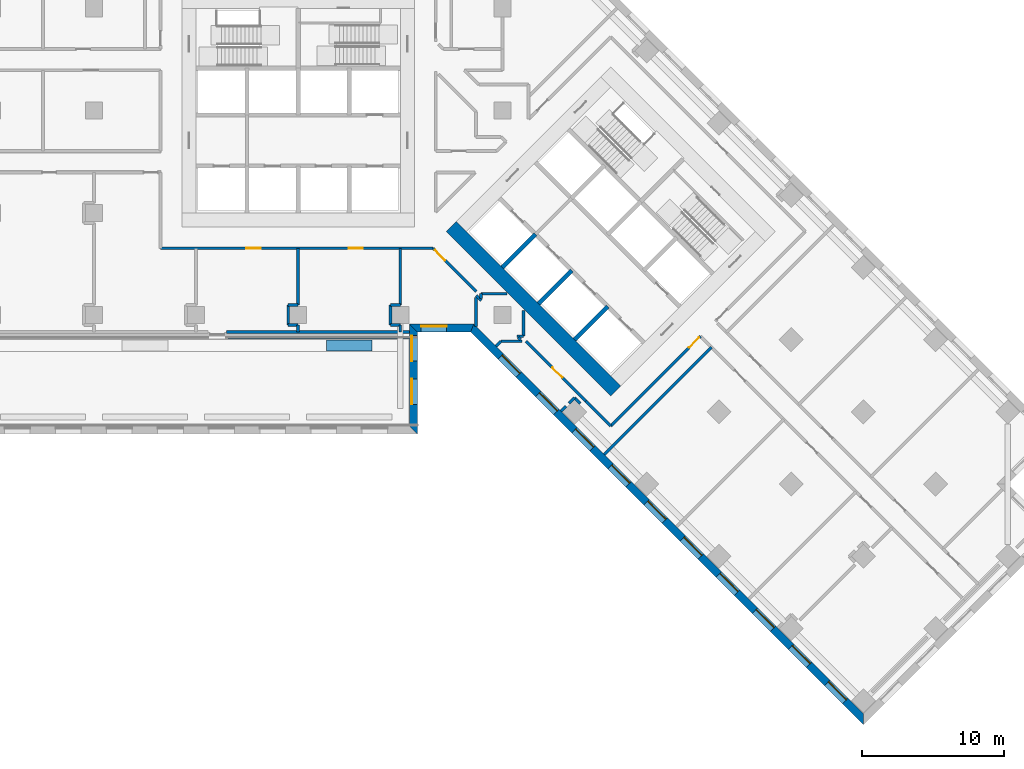
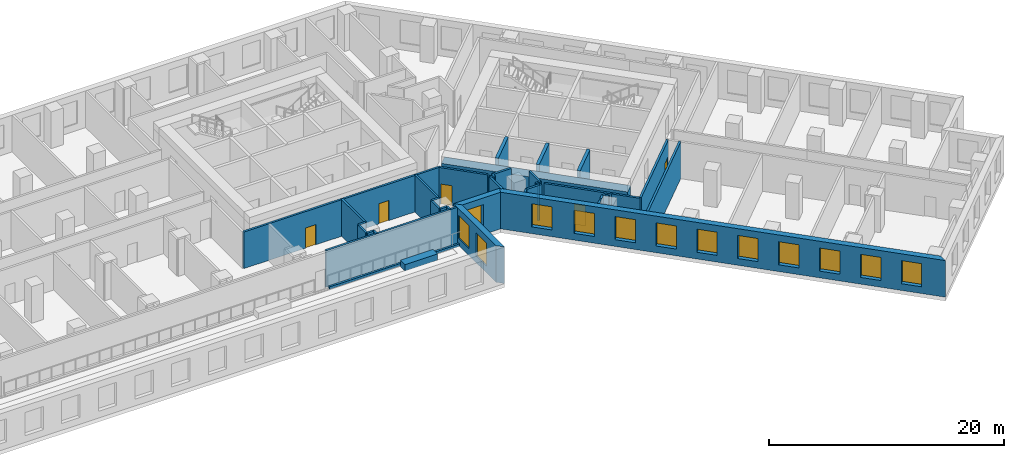
# One storey, part 7 of 14: 38 walls, 13 windows, 5 doors, 18 openings.
"""IFC4 building model written with IfcOpenShell, lengths in metres."""

from ifc_helpers import new_model, si_unit, direction, frame, frame_2d, origin, place, context, subcontext, project, spatial, polyline, rectangle, outline, extrude, material, layer, layer_set, type_object, element, fill, save


model = new_model("IFC4")

# Units and contexts
model_context = context("Model", 3, precision=1e-05, world=origin(), true_north=direction((0.0, 1.0)))
body_context = subcontext(model_context, "Body", "Model", "MODEL_VIEW")
ifc_project = project(units=[si_unit("LENGTHUNIT", "METRE"), si_unit("AREAUNIT", "SQUARE_METRE"), si_unit("VOLUMEUNIT", "CUBIC_METRE"), si_unit("PLANEANGLEUNIT", "RADIAN"), si_unit("MASSUNIT", "GRAM", prefix="KILO")], contexts=[model_context])

# Site, building, storey
site_placement = place(None, origin())
site = spatial("IfcSite", under=ifc_project, at=site_placement, CompositionType="ELEMENT")
building_placement = place(site_placement, origin())
building = spatial("IfcBuilding", under=site, at=building_placement, Name="Windrow Commons", CompositionType="ELEMENT")
storey_placement = place(building_placement, frame((0.0, 0.0, 18.6)))
storey = spatial("IfcBuildingStorey", under=building, at=storey_placement, Name="L04", CompositionType="ELEMENT", Elevation=18.6)

# Wall, openings, windows
ifc_material_1 = material(Name="Brick masonry, red clay brick", Category="masonry")
ifc_layer_1 = layer(ifc_material_1, 0.55)
ifc_layer_set_1 = layer_set([ifc_layer_1], Name="Brick facade wall 550")
wall_type_1 = type_object("IfcWallType", Name="Brick facade wall 550", PredefinedType="SOLIDWALL", material=ifc_layer_set_1)
wall_1_placement = place(storey_placement, frame((72.925, 35.075, 0.0), z_axis=(0.0, 0.0, 1.0), x_axis=(0.0, 1.0, 0.0)))
wall_1 = element("IfcWall", 1, at=wall_1_placement, inside=storey, type_object=wall_type_1, Name="Brick facade wall L04 14", PredefinedType="SOLIDWALL", context=body_context, shape_type="SweptSolid", body=[
    extrude(outline(polyline([(-0.275, -0.275), (6.925, -0.275), (7.475, 0.275), (0.275, 0.275), (-0.275, -0.275)])), origin(), (0.0, 0.0, 1.0), 3.8),
])
opening_1_placement = place(wall_1_placement, frame((1.825, 0.0, 0.7)))
opening_1 = element("IfcOpeningElement", 2, at=opening_1_placement, cuts=wall_1, Name="Opening W2B", PredefinedType="OPENING", context=body_context, shape_type="SweptSolid", body=[
    extrude(rectangle(XDim=1.8, YDim=2.4, at=frame_2d((0.9, 1.2))), frame((0.0, 0.285, 0.0), z_axis=(0.0, -1.0, 0.0), x_axis=(1.0, 0.0, 0.0)), (0.0, 0.0, 1.0), 0.57),
])
opening_2_placement = place(wall_1_placement, frame((4.8625, 0.0, 0.7)))
opening_2 = element("IfcOpeningElement", 3, at=opening_2_placement, cuts=wall_1, Name="Opening W2B", PredefinedType="OPENING", context=body_context, shape_type="SweptSolid", body=[
    extrude(rectangle(XDim=1.8, YDim=2.4, at=frame_2d((0.9, 1.2))), frame((0.0, 0.285, 0.0), z_axis=(0.0, -1.0, 0.0), x_axis=(1.0, 0.0, 0.0)), (0.0, 0.0, 1.0), 0.57),
])
ifc_material_2 = material(Name="Clear float glass in anodised aluminium frame", Category="aluminium")
window_type = type_object("IfcWindowType", Name="Window W2 podium 1800x2400", PartitioningType="SINGLE_PANEL", PredefinedType="WINDOW", material=ifc_material_2)
window_1_placement = place(opening_1_placement, origin())
window_1 = element("IfcWindow", 4, at=window_1_placement, inside=storey, type_object=window_type, Name="Window L04 14.1", OverallHeight=2.4, OverallWidth=1.8, PartitioningType="SINGLE_PANEL", PredefinedType="WINDOW", context=body_context, shape_type="SweptSolid", body=[
    extrude(rectangle(XDim=1.8, YDim=2.4, at=frame_2d((0.9, 1.2))), frame((0.0, 0.155, 0.0), z_axis=(0.0, -1.0, 0.0), x_axis=(1.0, 0.0, 0.0)), (0.0, 0.0, 1.0), 0.06),
])
fill(opening_1, window_1)
window_2_placement = place(opening_2_placement, origin())
window_2 = element("IfcWindow", 5, at=window_2_placement, inside=storey, type_object=window_type, Name="Window L04 14.2", OverallHeight=2.4, OverallWidth=1.8, PartitioningType="SINGLE_PANEL", PredefinedType="WINDOW", context=body_context, shape_type="SweptSolid", body=[
    extrude(rectangle(XDim=1.8, YDim=2.4, at=frame_2d((0.9, 1.2))), frame((0.0, 0.155, 0.0), z_axis=(0.0, -1.0, 0.0), x_axis=(1.0, 0.0, 0.0)), (0.0, 0.0, 1.0), 0.06),
])
fill(opening_2, window_2)

# Wall, opening, window
wall_2_placement = place(storey_placement, frame((72.925, 42.275, 0.0), z_axis=(0.0, 0.0, 1.0), x_axis=(1.0, 0.0, 0.0)))
wall_2 = element("IfcWall", 6, at=wall_2_placement, inside=storey, type_object=wall_type_1, Name="Brick facade wall L04 15", PredefinedType="SOLIDWALL", context=body_context, shape_type="SweptSolid", body=[
    extrude(outline(polyline([(0.275, -0.275), (4.0309, -0.275), (4.2587, 0.275), (-0.275, 0.275), (0.275, -0.275)])), origin(), (0.0, 0.0, 1.0), 3.8),
])
opening_3_placement = place(wall_2_placement, frame((0.5375, 0.0, 0.7)))
opening_3 = element("IfcOpeningElement", 7, at=opening_3_placement, cuts=wall_2, Name="Opening W2B", PredefinedType="OPENING", context=body_context, shape_type="SweptSolid", body=[
    extrude(rectangle(XDim=1.8, YDim=2.4, at=frame_2d((0.9, 1.2))), frame((0.0, 0.285, 0.0), z_axis=(0.0, -1.0, 0.0), x_axis=(1.0, 0.0, 0.0)), (0.0, 0.0, 1.0), 0.57),
])
window_3_placement = place(opening_3_placement, origin())
window_3 = element("IfcWindow", 8, at=window_3_placement, inside=storey, type_object=window_type, Name="Window L04 15.1", OverallHeight=2.4, OverallWidth=1.8, PartitioningType="SINGLE_PANEL", PredefinedType="WINDOW", context=body_context, shape_type="SweptSolid", body=[
    extrude(rectangle(XDim=1.8, YDim=2.4, at=frame_2d((0.9, 1.2))), frame((0.0, 0.155, 0.0), z_axis=(0.0, -1.0, 0.0), x_axis=(1.0, 0.0, 0.0)), (0.0, 0.0, 1.0), 0.06),
])
fill(opening_3, window_3)

# Wall, openings, windows
wall_3_placement = place(storey_placement, frame((77.0698, 42.275, 0.0), z_axis=(0.0, 0.0, 1.0), x_axis=(0.7071067812, -0.7071067812, 0.0)))
wall_3 = element("IfcWall", 9, at=wall_3_placement, inside=storey, type_object=wall_type_1, Name="Brick facade wall L04 16", PredefinedType="SOLIDWALL", context=body_context, shape_type="SweptSolid", body=[
    extrude(outline(polyline([(0.1139, -0.275), (39.2875, -0.275), (38.7375, 0.275), (-0.1139, 0.275), (0.1139, -0.275)])), origin(), (0.0, 0.0, 1.0), 3.8),
])
opening_4_placement = place(wall_3_placement, frame((2.8375, 0.0, 0.7)))
opening_4 = element("IfcOpeningElement", 10, at=opening_4_placement, cuts=wall_3, Name="Opening W2B", PredefinedType="OPENING", context=body_context, shape_type="SweptSolid", body=[
    extrude(rectangle(XDim=1.8, YDim=2.4, at=frame_2d((0.9, 1.2))), frame((0.0, 0.285, 0.0), z_axis=(0.0, -1.0, 0.0), x_axis=(1.0, 0.0, 0.0)), (0.0, 0.0, 1.0), 0.57),
])
opening_5_placement = place(wall_3_placement, frame((6.5875, 0.0, 0.7)))
opening_5 = element("IfcOpeningElement", 11, at=opening_5_placement, cuts=wall_3, Name="Opening W2B", PredefinedType="OPENING", context=body_context, shape_type="SweptSolid", body=[
    extrude(rectangle(XDim=1.8, YDim=2.4, at=frame_2d((0.9, 1.2))), frame((0.0, 0.285, 0.0), z_axis=(0.0, -1.0, 0.0), x_axis=(1.0, 0.0, 0.0)), (0.0, 0.0, 1.0), 0.57),
])
opening_6_placement = place(wall_3_placement, frame((10.1875, 0.0, 0.7)))
opening_6 = element("IfcOpeningElement", 12, at=opening_6_placement, cuts=wall_3, Name="Opening W2B", PredefinedType="OPENING", context=body_context, shape_type="SweptSolid", body=[
    extrude(rectangle(XDim=1.8, YDim=2.4, at=frame_2d((0.9, 1.2))), frame((0.0, 0.285, 0.0), z_axis=(0.0, -1.0, 0.0), x_axis=(1.0, 0.0, 0.0)), (0.0, 0.0, 1.0), 0.57),
])
opening_7_placement = place(wall_3_placement, frame((13.7875, 0.0, 0.7)))
opening_7 = element("IfcOpeningElement", 13, at=opening_7_placement, cuts=wall_3, Name="Opening W2B", PredefinedType="OPENING", context=body_context, shape_type="SweptSolid", body=[
    extrude(rectangle(XDim=1.8, YDim=2.4, at=frame_2d((0.9, 1.2))), frame((0.0, 0.285, 0.0), z_axis=(0.0, -1.0, 0.0), x_axis=(1.0, 0.0, 0.0)), (0.0, 0.0, 1.0), 0.57),
])
opening_8_placement = place(wall_3_placement, frame((17.3875, 0.0, 0.7)))
opening_8 = element("IfcOpeningElement", 14, at=opening_8_placement, cuts=wall_3, Name="Opening W2B", PredefinedType="OPENING", context=body_context, shape_type="SweptSolid", body=[
    extrude(rectangle(XDim=1.8, YDim=2.4, at=frame_2d((0.9, 1.2))), frame((0.0, 0.285, 0.0), z_axis=(0.0, -1.0, 0.0), x_axis=(1.0, 0.0, 0.0)), (0.0, 0.0, 1.0), 0.57),
])
opening_9_placement = place(wall_3_placement, frame((20.9875, 0.0, 0.7)))
opening_9 = element("IfcOpeningElement", 15, at=opening_9_placement, cuts=wall_3, Name="Opening W2B", PredefinedType="OPENING", context=body_context, shape_type="SweptSolid", body=[
    extrude(rectangle(XDim=1.8, YDim=2.4, at=frame_2d((0.9, 1.2))), frame((0.0, 0.285, 0.0), z_axis=(0.0, -1.0, 0.0), x_axis=(1.0, 0.0, 0.0)), (0.0, 0.0, 1.0), 0.57),
])
opening_10_placement = place(wall_3_placement, frame((24.5875, 0.0, 0.7)))
opening_10 = element("IfcOpeningElement", 16, at=opening_10_placement, cuts=wall_3, Name="Opening W2B", PredefinedType="OPENING", context=body_context, shape_type="SweptSolid", body=[
    extrude(rectangle(XDim=1.8, YDim=2.4, at=frame_2d((0.9, 1.2))), frame((0.0, 0.285, 0.0), z_axis=(0.0, -1.0, 0.0), x_axis=(1.0, 0.0, 0.0)), (0.0, 0.0, 1.0), 0.57),
])
opening_11_placement = place(wall_3_placement, frame((28.1875, 0.0, 0.7)))
opening_11 = element("IfcOpeningElement", 17, at=opening_11_placement, cuts=wall_3, Name="Opening W2B", PredefinedType="OPENING", context=body_context, shape_type="SweptSolid", body=[
    extrude(rectangle(XDim=1.8, YDim=2.4, at=frame_2d((0.9, 1.2))), frame((0.0, 0.285, 0.0), z_axis=(0.0, -1.0, 0.0), x_axis=(1.0, 0.0, 0.0)), (0.0, 0.0, 1.0), 0.57),
])
opening_12_placement = place(wall_3_placement, frame((31.7875, 0.0, 0.7)))
opening_12 = element("IfcOpeningElement", 18, at=opening_12_placement, cuts=wall_3, Name="Opening W2B", PredefinedType="OPENING", context=body_context, shape_type="SweptSolid", body=[
    extrude(rectangle(XDim=1.8, YDim=2.4, at=frame_2d((0.9, 1.2))), frame((0.0, 0.285, 0.0), z_axis=(0.0, -1.0, 0.0), x_axis=(1.0, 0.0, 0.0)), (0.0, 0.0, 1.0), 0.57),
])
opening_13_placement = place(wall_3_placement, frame((35.3875, 0.0, 0.7)))
opening_13 = element("IfcOpeningElement", 19, at=opening_13_placement, cuts=wall_3, Name="Opening W2B", PredefinedType="OPENING", context=body_context, shape_type="SweptSolid", body=[
    extrude(rectangle(XDim=1.8, YDim=2.4, at=frame_2d((0.9, 1.2))), frame((0.0, 0.285, 0.0), z_axis=(0.0, -1.0, 0.0), x_axis=(1.0, 0.0, 0.0)), (0.0, 0.0, 1.0), 0.57),
])
window_4_placement = place(opening_4_placement, origin())
window_4 = element("IfcWindow", 20, at=window_4_placement, inside=storey, type_object=window_type, Name="Window L04 16.1", OverallHeight=2.4, OverallWidth=1.8, PartitioningType="SINGLE_PANEL", PredefinedType="WINDOW", context=body_context, shape_type="SweptSolid", body=[
    extrude(rectangle(XDim=1.8, YDim=2.4, at=frame_2d((0.9, 1.2))), frame((0.0, 0.155, 0.0), z_axis=(0.0, -1.0, 0.0), x_axis=(1.0, 0.0, 0.0)), (0.0, 0.0, 1.0), 0.06),
])
fill(opening_4, window_4)
window_5_placement = place(opening_5_placement, origin())
window_5 = element("IfcWindow", 21, at=window_5_placement, inside=storey, type_object=window_type, Name="Window L04 16.2", OverallHeight=2.4, OverallWidth=1.8, PartitioningType="SINGLE_PANEL", PredefinedType="WINDOW", context=body_context, shape_type="SweptSolid", body=[
    extrude(rectangle(XDim=1.8, YDim=2.4, at=frame_2d((0.9, 1.2))), frame((0.0, 0.155, 0.0), z_axis=(0.0, -1.0, 0.0), x_axis=(1.0, 0.0, 0.0)), (0.0, 0.0, 1.0), 0.06),
])
fill(opening_5, window_5)
window_6_placement = place(opening_6_placement, origin())
window_6 = element("IfcWindow", 22, at=window_6_placement, inside=storey, type_object=window_type, Name="Window L04 16.3", OverallHeight=2.4, OverallWidth=1.8, PartitioningType="SINGLE_PANEL", PredefinedType="WINDOW", context=body_context, shape_type="SweptSolid", body=[
    extrude(rectangle(XDim=1.8, YDim=2.4, at=frame_2d((0.9, 1.2))), frame((0.0, 0.155, 0.0), z_axis=(0.0, -1.0, 0.0), x_axis=(1.0, 0.0, 0.0)), (0.0, 0.0, 1.0), 0.06),
])
fill(opening_6, window_6)
window_7_placement = place(opening_7_placement, origin())
window_7 = element("IfcWindow", 23, at=window_7_placement, inside=storey, type_object=window_type, Name="Window L04 16.4", OverallHeight=2.4, OverallWidth=1.8, PartitioningType="SINGLE_PANEL", PredefinedType="WINDOW", context=body_context, shape_type="SweptSolid", body=[
    extrude(rectangle(XDim=1.8, YDim=2.4, at=frame_2d((0.9, 1.2))), frame((0.0, 0.155, 0.0), z_axis=(0.0, -1.0, 0.0), x_axis=(1.0, 0.0, 0.0)), (0.0, 0.0, 1.0), 0.06),
])
fill(opening_7, window_7)
window_8_placement = place(opening_8_placement, origin())
window_8 = element("IfcWindow", 24, at=window_8_placement, inside=storey, type_object=window_type, Name="Window L04 16.5", OverallHeight=2.4, OverallWidth=1.8, PartitioningType="SINGLE_PANEL", PredefinedType="WINDOW", context=body_context, shape_type="SweptSolid", body=[
    extrude(rectangle(XDim=1.8, YDim=2.4, at=frame_2d((0.9, 1.2))), frame((0.0, 0.155, 0.0), z_axis=(0.0, -1.0, 0.0), x_axis=(1.0, 0.0, 0.0)), (0.0, 0.0, 1.0), 0.06),
])
fill(opening_8, window_8)
window_9_placement = place(opening_9_placement, origin())
window_9 = element("IfcWindow", 25, at=window_9_placement, inside=storey, type_object=window_type, Name="Window L04 16.6", OverallHeight=2.4, OverallWidth=1.8, PartitioningType="SINGLE_PANEL", PredefinedType="WINDOW", context=body_context, shape_type="SweptSolid", body=[
    extrude(rectangle(XDim=1.8, YDim=2.4, at=frame_2d((0.9, 1.2))), frame((0.0, 0.155, 0.0), z_axis=(0.0, -1.0, 0.0), x_axis=(1.0, 0.0, 0.0)), (0.0, 0.0, 1.0), 0.06),
])
fill(opening_9, window_9)
window_10_placement = place(opening_10_placement, origin())
window_10 = element("IfcWindow", 26, at=window_10_placement, inside=storey, type_object=window_type, Name="Window L04 16.7", OverallHeight=2.4, OverallWidth=1.8, PartitioningType="SINGLE_PANEL", PredefinedType="WINDOW", context=body_context, shape_type="SweptSolid", body=[
    extrude(rectangle(XDim=1.8, YDim=2.4, at=frame_2d((0.9, 1.2))), frame((0.0, 0.155, 0.0), z_axis=(0.0, -1.0, 0.0), x_axis=(1.0, 0.0, 0.0)), (0.0, 0.0, 1.0), 0.06),
])
fill(opening_10, window_10)
window_11_placement = place(opening_11_placement, origin())
window_11 = element("IfcWindow", 27, at=window_11_placement, inside=storey, type_object=window_type, Name="Window L04 16.8", OverallHeight=2.4, OverallWidth=1.8, PartitioningType="SINGLE_PANEL", PredefinedType="WINDOW", context=body_context, shape_type="SweptSolid", body=[
    extrude(rectangle(XDim=1.8, YDim=2.4, at=frame_2d((0.9, 1.2))), frame((0.0, 0.155, 0.0), z_axis=(0.0, -1.0, 0.0), x_axis=(1.0, 0.0, 0.0)), (0.0, 0.0, 1.0), 0.06),
])
fill(opening_11, window_11)
window_12_placement = place(opening_12_placement, origin())
window_12 = element("IfcWindow", 28, at=window_12_placement, inside=storey, type_object=window_type, Name="Window L04 16.9", OverallHeight=2.4, OverallWidth=1.8, PartitioningType="SINGLE_PANEL", PredefinedType="WINDOW", context=body_context, shape_type="SweptSolid", body=[
    extrude(rectangle(XDim=1.8, YDim=2.4, at=frame_2d((0.9, 1.2))), frame((0.0, 0.155, 0.0), z_axis=(0.0, -1.0, 0.0), x_axis=(1.0, 0.0, 0.0)), (0.0, 0.0, 1.0), 0.06),
])
fill(opening_12, window_12)
window_13_placement = place(opening_13_placement, origin())
window_13 = element("IfcWindow", 29, at=window_13_placement, inside=storey, type_object=window_type, Name="Window L04 16.10", OverallHeight=2.4, OverallWidth=1.8, PartitioningType="SINGLE_PANEL", PredefinedType="WINDOW", context=body_context, shape_type="SweptSolid", body=[
    extrude(rectangle(XDim=1.8, YDim=2.4, at=frame_2d((0.9, 1.2))), frame((0.0, 0.155, 0.0), z_axis=(0.0, -1.0, 0.0), x_axis=(1.0, 0.0, 0.0)), (0.0, 0.0, 1.0), 0.06),
])
fill(opening_13, window_13)

# Wall, openings, doors
ifc_material_3 = material(Name="Blockwork partition", Category="masonry")
ifc_layer_2 = layer(ifc_material_3, 0.2)
ifc_layer_set_2 = layer_set([ifc_layer_2], Name="IW-CORRIDOR-200")
wall_type_2 = type_object("IfcWallType", Name="IW-CORRIDOR-200", PredefinedType="PARTITIONING", material=ifc_layer_set_2)
wall_4_placement = place(storey_placement, frame((55.1, 47.9, 0.0), z_axis=(0.0, 0.0, 1.0), x_axis=(1.0, 0.0, 0.0)))
wall_4 = element("IfcWall", 30, at=wall_4_placement, inside=storey, type_object=wall_type_2, Name="W-L04-W007", PredefinedType="PARTITIONING", context=body_context, shape_type="SweptSolid", body=[
    extrude(rectangle(XDim=19.208, YDim=0.2, at=frame_2d((9.604, 0.0))), origin(), (0.0, 0.0, 1.0), 3.8),
])
opening_14_placement = place(wall_4_placement, frame((6.0575, 0.0, 0.0)))
opening_14 = element("IfcOpeningElement", 31, at=opening_14_placement, cuts=wall_4, Name="Opening D310F", PredefinedType="OPENING", context=body_context, shape_type="SweptSolid", body=[
    extrude(rectangle(XDim=1.0, YDim=2.1, at=frame_2d((0.5, 1.05))), frame((0.0, 0.11, 0.0), z_axis=(0.0, -1.0, 0.0), x_axis=(1.0, 0.0, 0.0)), (0.0, 0.0, 1.0), 0.22),
])
opening_15_placement = place(wall_4_placement, frame((13.2575, 0.0, 0.0)))
opening_15 = element("IfcOpeningElement", 32, at=opening_15_placement, cuts=wall_4, Name="Opening D310F", PredefinedType="OPENING", context=body_context, shape_type="SweptSolid", body=[
    extrude(rectangle(XDim=1.0, YDim=2.1, at=frame_2d((0.5, 1.05))), frame((0.0, 0.11, 0.0), z_axis=(0.0, -1.0, 0.0), x_axis=(1.0, 0.0, 0.0)), (0.0, 0.0, 1.0), 0.22),
])
ifc_material_4 = material(Name="Timber door leaf", Category="wood")
door_type_1 = type_object("IfcDoorType", Name="DT-AMENITY-1000", OperationType="SINGLE_SWING_LEFT", PredefinedType="DOOR", material=ifc_material_4)
door_1_placement = place(opening_14_placement, origin())
door_1 = element("IfcDoor", 33, at=door_1_placement, inside=storey, type_object=door_type_1, Name="D-L04-D009", OperationType="SINGLE_SWING_LEFT", OverallHeight=2.1, OverallWidth=1.0, PredefinedType="DOOR", context=body_context, shape_type="SweptSolid", body=[
    extrude(rectangle(XDim=1.0, YDim=2.1, at=frame_2d((0.5, 1.05))), frame((0.0, 0.025, 0.0), z_axis=(0.0, -1.0, 0.0), x_axis=(1.0, 0.0, 0.0)), (0.0, 0.0, 1.0), 0.05),
])
fill(opening_14, door_1)
door_2_placement = place(opening_15_placement, origin())
door_2 = element("IfcDoor", 34, at=door_2_placement, inside=storey, type_object=door_type_1, Name="D-L04-D010", OperationType="SINGLE_SWING_LEFT", OverallHeight=2.1, OverallWidth=1.0, PredefinedType="DOOR", context=body_context, shape_type="SweptSolid", body=[
    extrude(rectangle(XDim=1.0, YDim=2.1, at=frame_2d((0.5, 1.05))), frame((0.0, 0.025, 0.0), z_axis=(0.0, -1.0, 0.0), x_axis=(1.0, 0.0, 0.0)), (0.0, 0.0, 1.0), 0.05),
])
fill(opening_15, door_2)

# Wall, opening, door
wall_5_placement = place(storey_placement, frame((86.8356, 35.3724, 0.0), z_axis=(0.0, 0.0, 1.0), x_axis=(0.7071067812, 0.7071067812, 0.0)))
wall_5 = element("IfcWall", 35, at=wall_5_placement, inside=storey, type_object=wall_type_2, Name="W-L04-W031", PredefinedType="PARTITIONING", context=body_context, shape_type="SweptSolid", body=[
    extrude(rectangle(XDim=8.9491, YDim=0.2, at=frame_2d((4.4745, 0.0))), origin(), (0.0, 0.0, 1.0), 3.8),
])
opening_16_placement = place(wall_5_placement, frame((7.8004, 0.0, 0.0)))
opening_16 = element("IfcOpeningElement", 36, at=opening_16_placement, cuts=wall_5, Name="Opening D310F", PredefinedType="OPENING", context=body_context, shape_type="SweptSolid", body=[
    extrude(rectangle(XDim=1.0, YDim=2.1, at=frame_2d((0.5, 1.05))), frame((0.0, 0.11, 0.0), z_axis=(0.0, -1.0, 0.0), x_axis=(1.0, 0.0, 0.0)), (0.0, 0.0, 1.0), 0.22),
])
door_3_placement = place(opening_16_placement, origin())
door_3 = element("IfcDoor", 37, at=door_3_placement, inside=storey, type_object=door_type_1, Name="D-L04-D038", OperationType="SINGLE_SWING_RIGHT", OverallHeight=2.1, OverallWidth=1.0, PredefinedType="DOOR", context=body_context, shape_type="SweptSolid", body=[
    extrude(rectangle(XDim=1.0, YDim=2.1, at=frame_2d((0.5, 1.05))), frame((0.0, 0.025, 0.0), z_axis=(0.0, -1.0, 0.0), x_axis=(1.0, 0.0, 0.0)), (0.0, 0.0, 1.0), 0.05),
])
fill(opening_16, door_3)

wall_6_placement = place(storey_placement, frame((85.0698, 37.1418, 0.0), z_axis=(0.0, 0.0, 1.0), x_axis=(-0.7070899851, 0.7071235769, 0.0)))
wall_6 = element("IfcWall", 38, at=wall_6_placement, inside=storey, type_object=wall_type_2, Name="W-L04-W040", PredefinedType="PARTITIONING", context=body_context, shape_type="SweptSolid", body=[
    extrude(rectangle(XDim=5.9538, YDim=0.2, at=frame_2d((2.9769, 0.0))), origin(), (0.0, 0.0, 1.0), 3.8),
])
opening_17_placement = place(wall_6_placement, frame((2.3262, 0.0, 0.0)))
opening_17 = element("IfcOpeningElement", 39, at=opening_17_placement, cuts=wall_6, Name="Opening D410F", PredefinedType="OPENING", context=body_context, shape_type="SweptSolid", body=[
    extrude(rectangle(XDim=1.0, YDim=2.1, at=frame_2d((0.5, 1.05))), frame((0.0, 0.11, 0.0), z_axis=(0.0, -1.0, 0.0), x_axis=(1.0, 0.0, 0.0)), (0.0, 0.0, 1.0), 0.22),
])
ifc_material_5 = material(Name="Timber door leaf", Category="wood")
door_type_2 = type_object("IfcDoorType", Name="DT-SERVICE-1000", OperationType="SINGLE_SWING_LEFT", PredefinedType="DOOR", material=ifc_material_5)
door_4_placement = place(opening_17_placement, origin())
door_4 = element("IfcDoor", 40, at=door_4_placement, inside=storey, type_object=door_type_2, Name="D-L04-D033", OperationType="SINGLE_SWING_RIGHT", OverallHeight=2.1, OverallWidth=1.0, PredefinedType="DOOR", context=body_context, shape_type="SweptSolid", body=[
    extrude(rectangle(XDim=1.0, YDim=2.1, at=frame_2d((0.5, 1.05))), frame((0.0, 0.025, 0.0), z_axis=(0.0, -1.0, 0.0), x_axis=(1.0, 0.0, 0.0)), (0.0, 0.0, 1.0), 0.05),
])
fill(opening_17, door_4)

wall_7_placement = place(storey_placement, frame((74.3051, 47.8971, 0.0), z_axis=(0.0, 0.0, 1.0), x_axis=(0.7071067812, -0.7071067812, 0.0)))
wall_7 = element("IfcWall", 41, at=wall_7_placement, inside=storey, type_object=wall_type_2, Name="W-L04-W059", PredefinedType="PARTITIONING", context=body_context, shape_type="SweptSolid", body=[
    extrude(rectangle(XDim=4.302, YDim=0.2, at=frame_2d((2.151, 0.0))), origin(), (0.0, 0.0, 1.0), 3.8),
])
opening_18_placement = place(wall_7_placement, frame((0.1916, 0.0, 0.0)))
opening_18 = element("IfcOpeningElement", 42, at=opening_18_placement, cuts=wall_7, Name="Opening D310F", PredefinedType="OPENING", context=body_context, shape_type="SweptSolid", body=[
    extrude(rectangle(XDim=1.0, YDim=2.1, at=frame_2d((0.5, 1.05))), frame((0.0, 0.11, 0.0), z_axis=(0.0, -1.0, 0.0), x_axis=(1.0, 0.0, 0.0)), (0.0, 0.0, 1.0), 0.22),
])
door_5_placement = place(opening_18_placement, origin())
door_5 = element("IfcDoor", 43, at=door_5_placement, inside=storey, type_object=door_type_1, Name="D-L04-D011", OperationType="SINGLE_SWING_LEFT", OverallHeight=2.1, OverallWidth=1.0, PredefinedType="DOOR", context=body_context, shape_type="SweptSolid", body=[
    extrude(rectangle(XDim=1.0, YDim=2.1, at=frame_2d((0.5, 1.05))), frame((0.0, 0.025, 0.0), z_axis=(0.0, -1.0, 0.0), x_axis=(1.0, 0.0, 0.0)), (0.0, 0.0, 1.0), 0.05),
])
fill(opening_18, door_5)

# Walls
wall_8_placement = place(storey_placement, frame((85.0651, 37.1371, 0.0), z_axis=(0.0, 0.0, 1.0), x_axis=(0.7071067812, -0.7071067812, 0.0)))
element("IfcWall", 44, at=wall_8_placement, inside=storey, type_object=wall_type_2, Name="W-L04-W077", PredefinedType="PARTITIONING", context=body_context, shape_type="SweptSolid", body=[
    extrude(rectangle(XDim=2.5003, YDim=0.2, at=frame_2d((1.2502, 0.0))), origin(), (0.0, 0.0, 1.0), 3.8),
])
for number, where, z_axis, x_axis, name in (
    (45, (77.702, 44.7, 0.0), (0.0, 0.0, 1.0), (1.0, 0.0, 0.0), "W-L04-W091"),
    (46, (80.7, 41.702, 0.0), (0.0, 0.0, 1.0), (0.0, 1.0, 0.0), "W-L04-W092"),
):
    element("IfcWall", number, at=place(storey_placement, frame(where, z_axis=z_axis, x_axis=x_axis)), inside=storey, type_object=wall_type_2, Name=name, PredefinedType="PARTITIONING", context=body_context, shape_type="SweptSolid", body=[
        extrude(rectangle(XDim=1.814, YDim=0.2, at=frame_2d((0.907, 0.0))), origin(), (0.0, 0.0, 1.0), 3.8),
    ])
wall_9_placement = place(storey_placement, frame((77.3467, 44.5727, 0.0), z_axis=(0.0, 0.0, 1.0), x_axis=(0.7071067812, -0.7071067812, 0.0)))
element("IfcWall", 47, at=wall_9_placement, inside=storey, type_object=wall_type_2, Name="W-L04-W157", PredefinedType="PARTITIONING", context=body_context, shape_type="SweptSolid", body=[
    extrude(rectangle(XDim=0.495, YDim=0.2, at=frame_2d((0.2475, 0.0))), origin(), (0.0, 0.0, 1.0), 3.8),
])
wall_10_placement = place(storey_placement, frame((80.3146, 41.6048, 0.0), z_axis=(0.0, 0.0, 1.0), x_axis=(0.7071067812, -0.7071067812, 0.0)))
element("IfcWall", 48, at=wall_10_placement, inside=storey, type_object=wall_type_2, Name="W-L04-W158", PredefinedType="PARTITIONING", context=body_context, shape_type="SweptSolid", body=[
    extrude(rectangle(XDim=0.225, YDim=0.2, at=frame_2d((0.1125, 0.0))), origin(), (0.0, 0.0, 1.0), 3.8),
])
wall_11_placement = place(storey_placement, frame((77.7, 44.356, 0.0), z_axis=(0.0, 0.0, 1.0), x_axis=(0.0, 1.0, 0.0)))
element("IfcWall", 49, at=wall_11_placement, inside=storey, type_object=wall_type_2, Name="W-L04-W160", PredefinedType="PARTITIONING", context=body_context, shape_type="SweptSolid", body=[
    extrude(rectangle(XDim=0.344, YDim=0.2, at=frame_2d((0.172, 0.0))), origin(), (0.0, 0.0, 1.0), 3.8),
])
wall_12_placement = place(storey_placement, frame((80.226, 41.7, 0.0), z_axis=(0.0, 0.0, 1.0), x_axis=(1.0, 0.0, 0.0)))
element("IfcWall", 50, at=wall_12_placement, inside=storey, type_object=wall_type_2, Name="W-L04-W161", PredefinedType="PARTITIONING", context=body_context, shape_type="SweptSolid", body=[
    extrude(rectangle(XDim=0.474, YDim=0.2, at=frame_2d((0.237, 0.0))), origin(), (0.0, 0.0, 1.0), 3.8),
])
ifc_material_6 = material(Name="Blockwork partition", Category="masonry")
ifc_layer_3 = layer(ifc_material_6, 0.2)
ifc_layer_set_3 = layer_set([ifc_layer_3], Name="IW-PARTY-200")
wall_type_3 = type_object("IfcWallType", Name="IW-PARTY-200", PredefinedType="PARTITIONING", material=ifc_layer_set_3)
wall_13_placement = place(storey_placement, frame((86.3763, 33.3574, 0.0), z_axis=(0.0, 0.0, 1.0), x_axis=(0.7071021083, 0.707111454, 0.0)))
element("IfcWall", 51, at=wall_13_placement, inside=storey, type_object=wall_type_3, Name="W-L04-W015", PredefinedType="PARTITIONING", context=body_context, shape_type="SweptSolid", body=[
    extrude(rectangle(XDim=10.7002, YDim=0.2, at=frame_2d((5.3501, 0.0))), origin(), (0.0, 0.0, 1.0), 3.8),
])
for number, where, z_axis, x_axis, name in (
    (52, (64.8, 43.906, 0.0), (0.0, 0.0, 1.0), (0.0, 1.0, 0.0), "W-L04-W066"),
    (53, (72.0, 43.906, 0.0), (0.0, 0.0, 1.0), (0.0, 1.0, 0.0), "W-L04-W067"),
):
    element("IfcWall", number, at=place(storey_placement, frame(where, z_axis=z_axis, x_axis=x_axis)), inside=storey, type_object=wall_type_3, Name=name, PredefinedType="PARTITIONING", context=body_context, shape_type="SweptSolid", body=[
        extrude(rectangle(XDim=3.994, YDim=0.2, at=frame_2d((1.997, 0.0))), origin(), (0.0, 0.0, 1.0), 3.8),
    ])
wall_14_placement = place(storey_placement, frame((77.35, 42.3837, 0.0), z_axis=(0.0, 0.0, 1.0), x_axis=(0.0, 1.0, 0.0)))
element("IfcWall", 54, at=wall_14_placement, inside=storey, type_object=wall_type_3, Name="W-L04-W087", PredefinedType="PARTITIONING", context=body_context, shape_type="SweptSolid", body=[
    extrude(rectangle(XDim=2.0523, YDim=0.2, at=frame_2d((1.0261, 0.0))), origin(), (0.0, 0.0, 1.0), 3.8),
])
wall_15_placement = place(storey_placement, frame((79.098, 41.35, 0.0), z_axis=(0.0, 0.0, 1.0), x_axis=(1.0, 0.0, 0.0)))
element("IfcWall", 55, at=wall_15_placement, inside=storey, type_object=wall_type_3, Name="W-L04-W099", PredefinedType="PARTITIONING", context=body_context, shape_type="SweptSolid", body=[
    extrude(rectangle(XDim=1.478, YDim=0.2, at=frame_2d((0.739, 0.0))), origin(), (0.0, 0.0, 1.0), 3.8),
])
for number, where, z_axis, x_axis, name in (
    (56, (64.1, 42.496, 0.0), (0.0, 0.0, 1.0), (0.0, 1.0, 0.0), "W-L04-W109"),
    (57, (71.3, 42.496, 0.0), (0.0, 0.0, 1.0), (0.0, 1.0, 0.0), "W-L04-W110"),
):
    element("IfcWall", number, at=place(storey_placement, frame(where, z_axis=z_axis, x_axis=x_axis)), inside=storey, type_object=wall_type_3, Name=name, PredefinedType="PARTITIONING", context=body_context, shape_type="SweptSolid", body=[
        extrude(rectangle(XDim=1.41, YDim=0.2, at=frame_2d((0.705, 0.0))), origin(), (0.0, 0.0, 1.0), 3.8),
    ])
for number, where, z_axis, x_axis, name in (
    (58, (64.1, 43.91, 0.0), (0.0, 0.0, 1.0), (1.0, 0.0, 0.0), "W-L04-W120"),
    (59, (71.3, 43.91, 0.0), (0.0, 0.0, 1.0), (1.0, 0.0, 0.0), "W-L04-W121"),
    (60, (64.1, 42.5, 0.0), (0.0, 0.0, 1.0), (1.0, 0.0, 0.0), "W-L04-W124"),
    (61, (71.3, 42.5, 0.0), (0.0, 0.0, 1.0), (1.0, 0.0, 0.0), "W-L04-W125"),
):
    element("IfcWall", number, at=place(storey_placement, frame(where, z_axis=z_axis, x_axis=x_axis)), inside=storey, type_object=wall_type_3, Name=name, PredefinedType="PARTITIONING", context=body_context, shape_type="SweptSolid", body=[
        extrude(rectangle(XDim=0.7, YDim=0.2, at=frame_2d((0.35, 0.0))), origin(), (0.0, 0.0, 1.0), 3.8),
    ])
for number, where, z_axis, x_axis, name in (
    (62, (83.8999, 36.9621, 0.0), (0.0, 0.0, 1.0), (0.7071067812, 0.7071067812, 0.0), "W-L04-W139"),
    (63, (84.2943, 37.3563, 0.0), (0.0, 0.0, 1.0), (0.7071067812, -0.7071067812, 0.0), "W-L04-W141"),
):
    element("IfcWall", number, at=place(storey_placement, frame(where, z_axis=z_axis, x_axis=x_axis)), inside=storey, type_object=wall_type_3, Name=name, PredefinedType="PARTITIONING", context=body_context, shape_type="SweptSolid", body=[
        extrude(rectangle(XDim=0.5572, YDim=0.2, at=frame_2d((0.2786, 0.0))), origin(), (0.0, 0.0, 1.0), 3.8),
    ])
for number, where, z_axis, x_axis, name in (
    (64, (64.8, 42.0, 0.0), (0.0, 0.0, 1.0), (0.0, 1.0, 0.0), "W-L04-W155"),
    (65, (72.0, 42.0, 0.0), (0.0, 0.0, 1.0), (0.0, 1.0, 0.0), "W-L04-W156"),
):
    element("IfcWall", number, at=place(storey_placement, frame(where, z_axis=z_axis, x_axis=x_axis)), inside=storey, type_object=wall_type_3, Name=name, PredefinedType="PARTITIONING", context=body_context, shape_type="SweptSolid", body=[
        extrude(rectangle(XDim=0.496, YDim=0.2, at=frame_2d((0.248, 0.0))), origin(), (0.0, 0.0, 1.0), 3.8),
    ])
for number, where, z_axis, x_axis, name in (
    (66, (78.7395, 40.9942, 0.0), (0.0, 0.0, 1.0), (0.7072060451, 0.7070075033, 0.0), "W-L04-W163"),
    (67, (83.3357, 36.398, 0.0), (0.0, 0.0, 1.0), (0.7072060451, 0.7070075033, 0.0), "W-L04-W164"),
):
    element("IfcWall", number, at=place(storey_placement, frame(where, z_axis=z_axis, x_axis=x_axis)), inside=storey, type_object=wall_type_3, Name=name, PredefinedType="PARTITIONING", context=body_context, shape_type="SweptSolid", body=[
        extrude(rectangle(XDim=0.5037, YDim=0.2, at=frame_2d((0.2519, 0.0))), origin(), (0.0, 0.0, 1.0), 3.8),
    ])
wall_16_placement = place(storey_placement, frame((59.75, 42.0, 0.0), z_axis=(0.0, 0.0, 1.0), x_axis=(1.0, 0.0, 0.0)))
element("IfcWall", 68, at=wall_16_placement, inside=storey, type_object=wall_type_3, Name="W-L04-W000", PredefinedType="PARTITIONING", context=body_context, shape_type="SweptSolid", body=[
    extrude(outline(polyline([(0.0, -0.1), (12.9, -0.1), (12.9, 0.1), (0.0, 0.1), (0.0, -0.1)])), origin(), (0.0, 0.0, 1.0), 3.8),
])
ifc_material_7 = material(Name="Concrete C30/37 planter wall", Category="concrete")
ifc_layer_4 = layer(ifc_material_7, 0.8)
ifc_layer_set_4 = layer_set([ifc_layer_4], Name="Planter 800x600")
wall_type_4 = type_object("IfcWallType", Name="Planter 800x600", PredefinedType="SOLIDWALL", material=ifc_layer_set_4)
wall_17_placement = place(storey_placement, frame((70.0068, 41.05, 0.0), z_axis=(0.0, 0.0, 1.0), x_axis=(-1.0, 0.0, 0.0)))
element("IfcWall", 69, at=wall_17_placement, inside=storey, type_object=wall_type_4, Name="PLANTER TR-L04-1.1", PredefinedType="SOLIDWALL", context=body_context, shape_type="SweptSolid", body=[
    extrude(outline(polyline([(0.0, -0.4), (3.2136, -0.4), (3.2136, 0.4), (0.0, 0.4), (0.0, -0.4)])), origin(), (0.0, 0.0, 1.0), 0.65),
])
ifc_material_8 = material(Name="Concrete C60/75", Category="concrete")
ifc_layer_5 = layer(ifc_material_8, 1.0)
ifc_layer_set_5 = layer_set([ifc_layer_5], Name="RC CORE WALL 1000 C60/75")
wall_type_5 = type_object("IfcWallType", Name="RC CORE WALL 1000 C60/75", PredefinedType="SHEAR", material=ifc_layer_set_5)
wall_18_placement = place(storey_placement, frame((75.5938, 49.4433, -0.4), z_axis=(0.0, 0.0, 1.0), x_axis=(0.7071037324, -0.70710983, 0.0)))
element("IfcWall", 70, at=wall_18_placement, inside=storey, type_object=wall_type_5, Name="Core B wall outer-S", PredefinedType="SHEAR", context=body_context, shape_type="SweptSolid", body=[
    extrude(rectangle(XDim=16.4, YDim=1.0, at=frame_2d((8.2, 0.0))), origin(), (0.0, 0.0, 1.0), 3.5),
])
ifc_material_9 = material(Name="Concrete C60/75", Category="concrete")
ifc_layer_6 = layer(ifc_material_9, 0.3)
ifc_layer_set_6 = layer_set([ifc_layer_6], Name="RC SHAFT WALL 300 C60/75")
wall_type_6 = type_object("IfcWallType", Name="RC SHAFT WALL 300 C60/75", PredefinedType="SOLIDWALL", material=ifc_layer_set_6)
wall_19_placement = place(storey_placement, frame((79.2, 46.5442, 0.0), z_axis=(0.0, 0.0, 1.0), x_axis=(0.7071219326, 0.7070916295, 0.0)))
element("IfcWall", 71, at=wall_19_placement, inside=storey, type_object=wall_type_6, Name="Core B wall shaft-S1", PredefinedType="SOLIDWALL", context=body_context, shape_type="SweptSolid", body=[
    extrude(rectangle(XDim=3.3, YDim=0.3, at=frame_2d((1.65, 0.0))), origin(), (0.0, 0.0, 1.0), 3.8),
])
for number, where, z_axis, x_axis, name in (
    (72, (81.7456, 43.9986, 0.0), (0.0, 0.0, 1.0), (0.7071067812, 0.7071067812, 0.0), "Core B wall shaft-S2"),
    (73, (84.2912, 41.453, 0.0), (0.0, 0.0, 1.0), (0.7071067812, 0.7071067812, 0.0), "Core B wall shaft-S3"),
):
    element("IfcWall", number, at=place(storey_placement, frame(where, z_axis=z_axis, x_axis=x_axis)), inside=storey, type_object=wall_type_6, Name=name, PredefinedType="SOLIDWALL", context=body_context, shape_type="SweptSolid", body=[
        extrude(rectangle(XDim=3.2999, YDim=0.3, at=frame_2d((1.65, 0.0))), origin(), (0.0, 0.0, 1.0), 3.8),
    ])
ifc_material_10 = material(Name="Brick masonry, red clay brick", Category="masonry")
ifc_layer_7 = layer(ifc_material_10, 0.2)
ifc_layer_set_7 = layer_set([ifc_layer_7], Name="Terrace edge parapet 200")
wall_type_7 = type_object("IfcWallType", Name="Terrace edge parapet 200", PredefinedType="PARAPET", material=ifc_layer_set_7)
wall_20_placement = place(storey_placement, frame((72.65, 41.6, 0.0), z_axis=(0.0, 0.0, 1.0), x_axis=(-1.0, 0.0, 0.0)))
element("IfcWall", 74, at=wall_20_placement, inside=storey, type_object=wall_type_7, Name="Terrace parapet TR-L04-1.1.1", PredefinedType="PARAPET", context=body_context, shape_type="SweptSolid", body=[
    extrude(outline(polyline([(0.0, -0.1), (12.78, -0.1), (12.78, 0.1), (0.0, 0.1), (0.0, -0.1)])), origin(), (0.0, 0.0, 1.0), 0.25),
])

save(model, "model.ifc")
